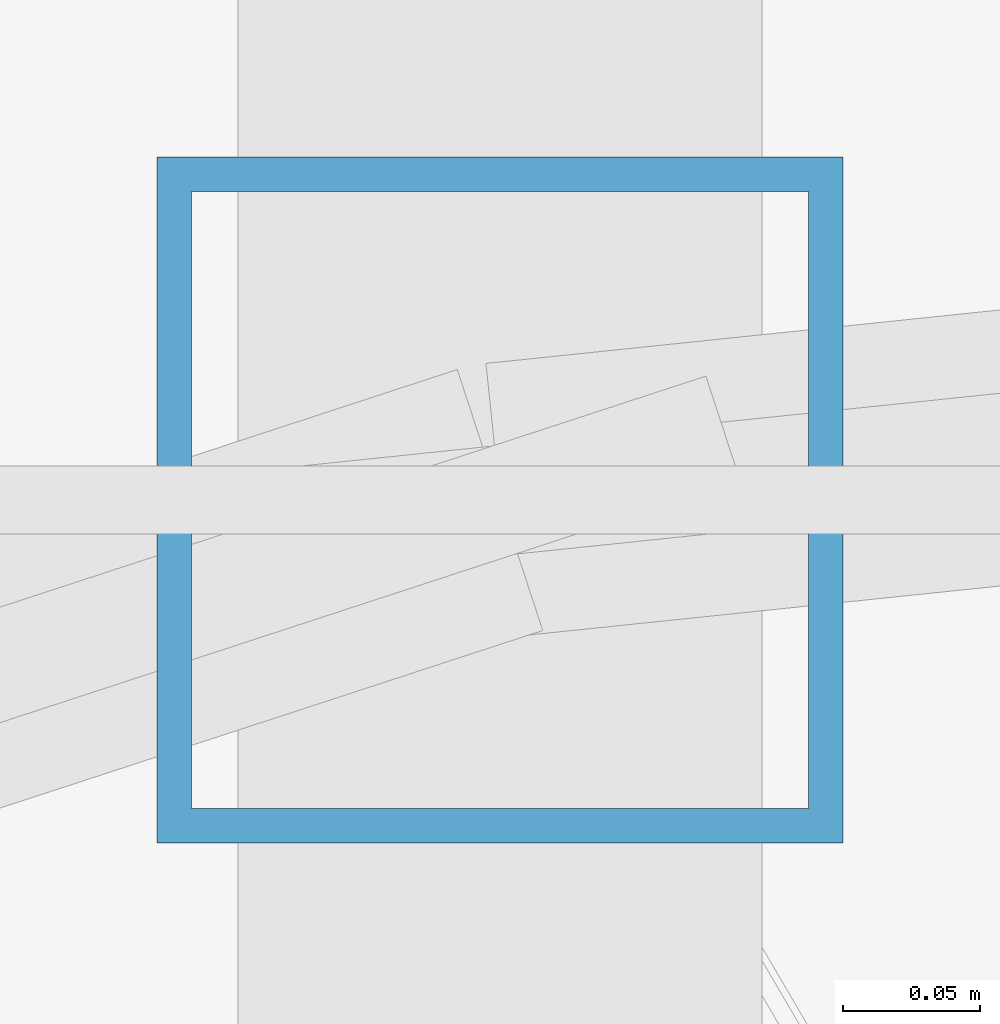
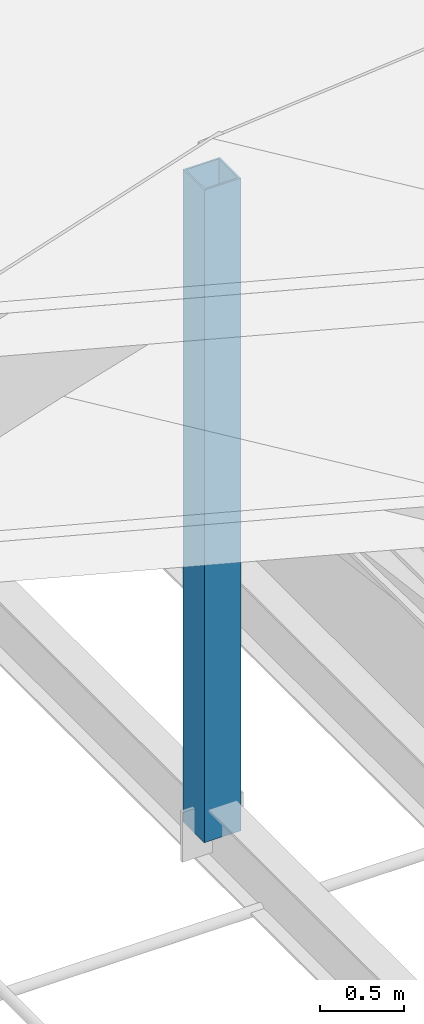
# One storey, part 116 of 184: 1 member.
"""IFC4 building model written with IfcOpenShell, lengths in metres."""

from ifc_helpers import new_model, si_unit, direction, frame, origin, origin_2d, place, context, subcontext, project, spatial, hollow_rectangle, extrude, material, material_profile, profile_set, type_object, element, save


model = new_model("IFC4")

# Units and contexts
model_context = context("Model", 3, precision=1e-05, world=origin(), true_north=direction((0.0, 1.0)))
body_context = subcontext(model_context, "Body", "Model", "MODEL_VIEW")
ifc_project = project(units=[si_unit("LENGTHUNIT", "METRE"), si_unit("AREAUNIT", "SQUARE_METRE"), si_unit("VOLUMEUNIT", "CUBIC_METRE"), si_unit("PLANEANGLEUNIT", "RADIAN"), si_unit("MASSUNIT", "GRAM", prefix="KILO")], contexts=[model_context])

# Site, building, storey
site_placement = place(None, origin())
site = spatial("IfcSite", under=ifc_project, at=site_placement, CompositionType="ELEMENT")
building_placement = place(site_placement, origin())
building = spatial("IfcBuilding", under=site, at=building_placement, Name="Kalgoora Escarpment Arena", CompositionType="ELEMENT")
storey_placement = place(building_placement, frame((0.0, 0.0, 27.60009765625)))
storey = spatial("IfcBuildingStorey", under=building, at=storey_placement, Name="Roof Level", CompositionType="ELEMENT", Elevation=27.60009765625)

# Member
ifc_material = material(Name="Structural steel C450 (450 MPa)", Category="steel")
ifc_material_profile = material_profile(ifc_material, hollow_rectangle(XDim=0.25, YDim=0.25, WallThickness=0.012451171875, at=origin_2d()))
ifc_profile_set = profile_set([ifc_material_profile], Name="Structural steel C450 (450 MPa)")
member_type = type_object("IfcMemberType", Name="MEM-PETAL-POST", PredefinedType="POST", material=ifc_profile_set)
member_placement = place(storey_placement, frame((90.0048828125, 98.19384765625, -1.02001953125), z_axis=(0.0, 0.0, 1.0), x_axis=(1.0, 0.0, 0.0)))
element("IfcMember", 1, at=member_placement, inside=storey, type_object=member_type, Name="Petal RP3 vertical support post S08", PredefinedType="POST", context=body_context, shape_type="SweptSolid", body=[
    extrude(hollow_rectangle(XDim=0.25, YDim=0.25, WallThickness=0.012451171875, at=origin_2d()), origin(), (0.0, 0.0, 1.0), 4.724853515625),
])

save(model, "model.ifc")
